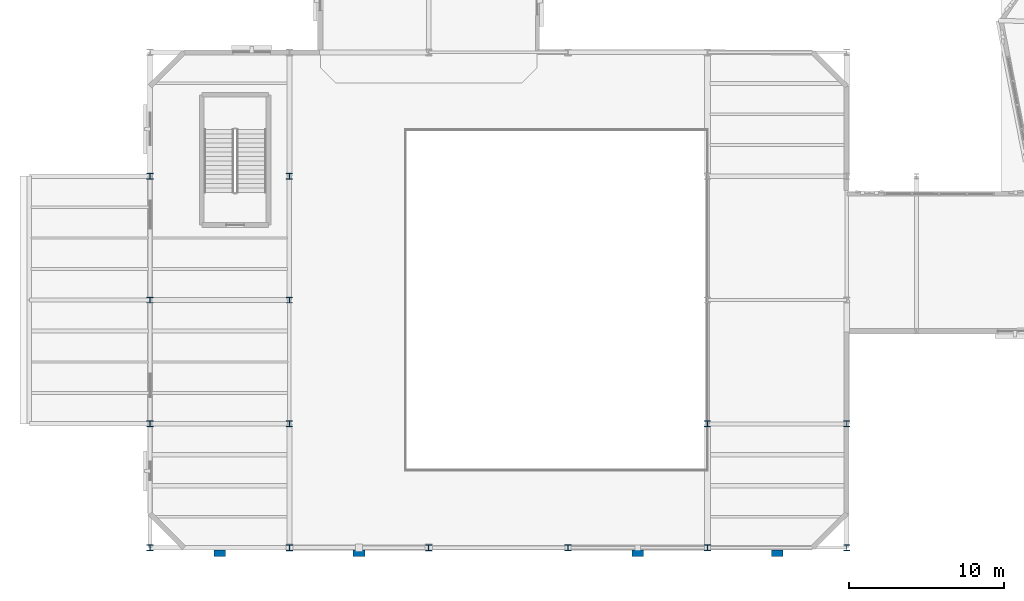
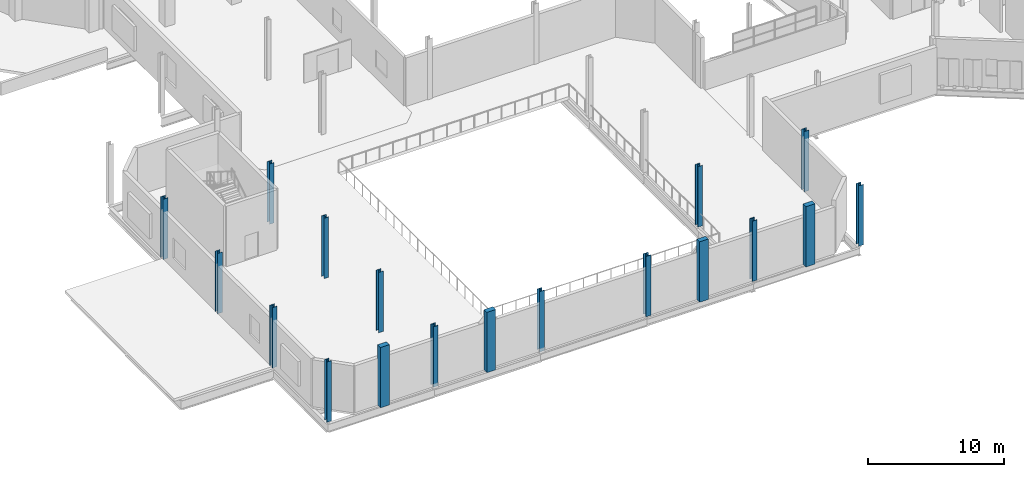
# One storey, part 1 of 142: 18 columns.
"""IFC4 building model written with IfcOpenShell, lengths in metres."""

from ifc_helpers import new_model, si_unit, direction, frame, origin, origin_2d, place, context, subcontext, project, spatial, rectangle, i_section, extrude, material, material_profile, profile_set, type_object, element, save


model = new_model("IFC4")

# Units and contexts
model_context = context("Model", 3, precision=1e-05, world=origin(), true_north=direction((0.0, 1.0)))
body_context = subcontext(model_context, "Body", "Model", "MODEL_VIEW")
ifc_project = project(units=[si_unit("LENGTHUNIT", "METRE"), si_unit("AREAUNIT", "SQUARE_METRE"), si_unit("VOLUMEUNIT", "CUBIC_METRE"), si_unit("PLANEANGLEUNIT", "RADIAN"), si_unit("MASSUNIT", "GRAM", prefix="KILO"), si_unit("THERMODYNAMICTEMPERATUREUNIT", "KELVIN"), si_unit("POWERUNIT", "WATT")], contexts=[model_context])

# Site, building, storey
site_placement = place(None, origin())
site = spatial("IfcSite", under=ifc_project, at=site_placement, CompositionType="ELEMENT")
building_placement = place(site_placement, origin())
building = spatial("IfcBuilding", under=site, at=building_placement, Name="Zelmaris Science Centre", CompositionType="ELEMENT")
storey_placement = place(building_placement, frame((0.0, 0.0, 5.39990234375)))
storey = spatial("IfcBuildingStorey", under=building, at=storey_placement, Name="L01", CompositionType="ELEMENT", Elevation=5.39990234375)

# Columns
ifc_material_1 = material(Name="Steel ASTM A992 Grade 50", Category="steel")
ifc_material_profile_1 = material_profile(ifc_material_1, i_section(OverallWidth=0.406005859375, OverallDepth=0.4169921875, WebThickness=0.02978515625, FlangeThickness=0.04443359375, FilletRadius=0.014892578125, at=origin_2d()), Name="W14X257")
ifc_profile_set_1 = profile_set([ifc_material_profile_1], Name="Steel ASTM A992 Grade 50")
column_type_1 = type_object("IfcColumnType", Name="Column C-02 W14X257", PredefinedType="COLUMN", material=ifc_profile_set_1)
for number, where, z_axis, x_axis, name in (
    (1, (18.0, 8.0, 0.0), (0.0, 0.0, 1.0), (1.0, 0.0, 0.0), "Column V3-P-18-8 L01"),
    (2, (27.0, 8.0, 0.0), (0.0, 0.0, 1.0), (1.0, 0.0, 0.0), "Column V3-P-27-8 L01"),
    (3, (36.0, 8.0, 0.0), (0.0, 0.0, 1.0), (1.0, 0.0, 0.0), "Column V3-P-36-8 L01"),
    (4, (45.0, 8.0, 0.0), (0.0, 0.0, 1.0), (1.0, 0.0, 0.0), "Column V3-P-45-8 L01"),
):
    element("IfcColumn", number, at=place(storey_placement, frame(where, z_axis=z_axis, x_axis=x_axis)), inside=storey, type_object=column_type_1, Name=name, PredefinedType="COLUMN", context=body_context, shape_type="SweptSolid", body=[
        extrude(i_section(OverallWidth=0.406005859375, OverallDepth=0.4169921875, WebThickness=0.02978515625, FlangeThickness=0.04443359375, FilletRadius=0.014892578125, at=origin_2d()), origin(), (0.0, 0.0, 1.0), 5.400146484375),
    ])
ifc_material_profile_2 = material_profile(ifc_material_1, i_section(OverallWidth=0.39892578125, OverallDepth=0.385986328125, WebThickness=0.02099609375, FlangeThickness=0.033203125, FilletRadius=0.014892578125, at=origin_2d()), Name="W14X176")
ifc_profile_set_2 = profile_set([ifc_material_profile_2], Name="Steel ASTM A992 Grade 50")
column_type_2 = type_object("IfcColumnType", Name="Column C-04 W14X176", PredefinedType="COLUMN", material=ifc_profile_set_2)
for number, where, z_axis, x_axis, name in (
    (5, (9.0, 8.0, 0.0), (0.0, 0.0, 1.0), (1.0, 0.0, 0.0), "Column V3-P-9-8 L01"),
    (6, (54.0, 8.0, 0.0), (0.0, 0.0, 1.0), (1.0, 0.0, 0.0), "Column V3-P-54-8 L01"),
):
    element("IfcColumn", number, at=place(storey_placement, frame(where, z_axis=z_axis, x_axis=x_axis)), inside=storey, type_object=column_type_2, Name=name, PredefinedType="COLUMN", context=body_context, shape_type="SweptSolid", body=[
        extrude(i_section(OverallWidth=0.39892578125, OverallDepth=0.385986328125, WebThickness=0.02099609375, FlangeThickness=0.033203125, FilletRadius=0.014892578125, at=origin_2d()), origin(), (0.0, 0.0, 1.0), 5.400146484375),
    ])
ifc_material_profile_3 = material_profile(ifc_material_1, i_section(OverallWidth=0.39404296875, OverallDepth=0.3759765625, WebThickness=0.017333984375, FlangeThickness=0.027587890625, FilletRadius=0.014892578125, at=origin_2d()), Name="W14X145")
ifc_profile_set_3 = profile_set([ifc_material_profile_3], Name="Steel ASTM A992 Grade 50")
column_type_3 = type_object("IfcColumnType", Name="Column C-05 W14X145", PredefinedType="COLUMN", material=ifc_profile_set_3)
for number, where, z_axis, x_axis, name in (
    (7, (9.0, 16.0, 0.0), (0.0, 0.0, 1.0), (1.0, 0.0, 0.0), "Column V3-F-9-16 L01"),
    (8, (9.0, 24.0, 0.0), (0.0, 0.0, 1.0), (1.0, 0.0, 0.0), "Column V3-F-9-24 L01"),
    (9, (9.0, 32.0, 0.0), (0.0, 0.0, 1.0), (1.0, 0.0, 0.0), "Column V3-F-9-32 L01"),
    (10, (18.0, 16.0, 0.0), (0.0, 0.0, 1.0), (1.0, 0.0, 0.0), "Column V3-F-18-16 L01"),
    (11, (18.0, 24.0, 0.0), (0.0, 0.0, 1.0), (1.0, 0.0, 0.0), "Column V3-F-18-24 L01"),
    (12, (18.0, 32.0, 0.0), (0.0, 0.0, 1.0), (1.0, 0.0, 0.0), "Column V3-F-18-32 L01"),
    (13, (45.0, 16.0, 0.0), (0.0, 0.0, 1.0), (1.0, 0.0, 0.0), "Column V3-F-45-16 L01"),
    (14, (54.0, 16.0, 0.0), (0.0, 0.0, 1.0), (1.0, 0.0, 0.0), "Column V3-F-54-16 L01"),
):
    element("IfcColumn", number, at=place(storey_placement, frame(where, z_axis=z_axis, x_axis=x_axis)), inside=storey, type_object=column_type_3, Name=name, PredefinedType="COLUMN", context=body_context, shape_type="SweptSolid", body=[
        extrude(i_section(OverallWidth=0.39404296875, OverallDepth=0.3759765625, WebThickness=0.017333984375, FlangeThickness=0.027587890625, FilletRadius=0.014892578125, at=origin_2d()), origin(), (0.0, 0.0, 1.0), 5.400146484375),
    ])
ifc_material_2 = material(Name="Yucatan limestone ashlar masonry", Category="masonry")
ifc_material_profile_4 = material_profile(ifc_material_2, rectangle(XDim=0.75, YDim=0.419921875, at=origin_2d()), Name="PIL-LIM-750X420")
ifc_profile_set_4 = profile_set([ifc_material_profile_4], Name="Yucatan limestone ashlar masonry")
column_type_4 = type_object("IfcColumnType", Name="Pilaster PL-01 PIL-LIM-750X420", PredefinedType="PILASTER", material=ifc_profile_set_4)
for number, where, z_axis, x_axis, name in (
    (15, (13.5, 7.64990234375, 0.0), (0.0, 0.0, 1.0), (1.0, 0.0, 0.0), "Limestone pilaster PIL-V3S-1 L01"),
    (16, (22.5, 7.64990234375, 0.0), (0.0, 0.0, 1.0), (1.0, 0.0, 0.0), "Limestone pilaster PIL-V3S-2 L01"),
    (17, (40.5, 7.64990234375, 0.0), (0.0, 0.0, 1.0), (1.0, 0.0, 0.0), "Limestone pilaster PIL-V3S-3 L01"),
    (18, (49.5, 7.64990234375, 0.0), (0.0, 0.0, 1.0), (1.0, 0.0, 0.0), "Limestone pilaster PIL-V3S-4 L01"),
):
    element("IfcColumn", number, at=place(storey_placement, frame(where, z_axis=z_axis, x_axis=x_axis)), inside=storey, type_object=column_type_4, Name=name, PredefinedType="PILASTER", context=body_context, shape_type="SweptSolid", body=[
        extrude(rectangle(XDim=0.75, YDim=0.419921875, at=origin_2d()), origin(), (0.0, 0.0, 1.0), 5.400146484375),
    ])

save(model, "model.ifc")
